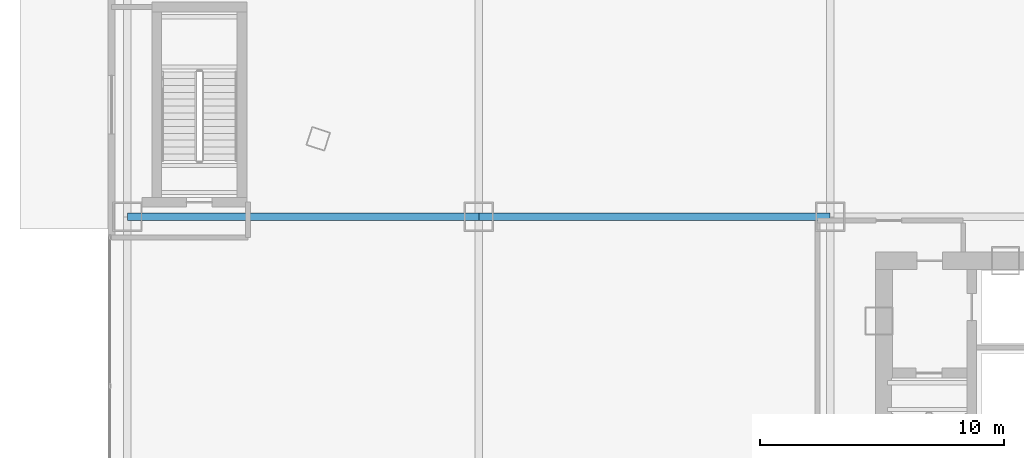
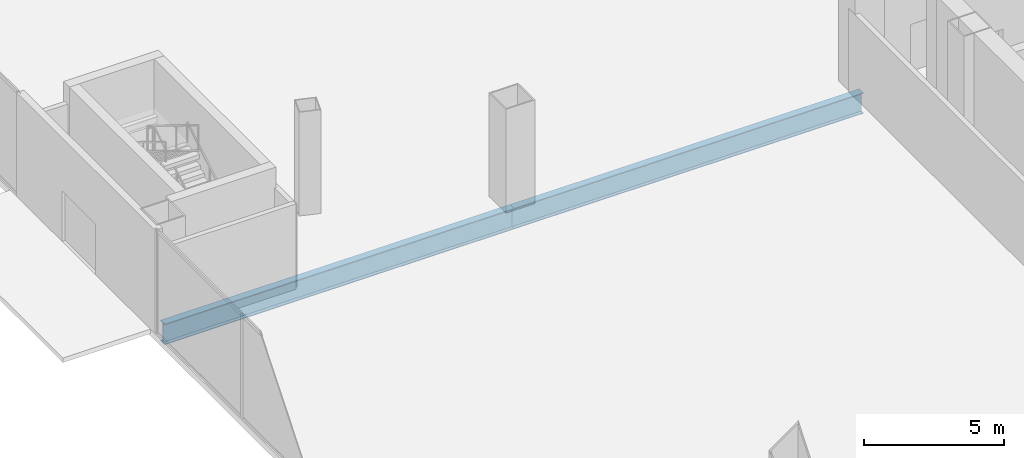
# One storey, part 11 of 58: 2 beams.
"""IFC4 building model written with IfcOpenShell, lengths in metres."""

from ifc_helpers import new_model, si_unit, direction, frame, origin, origin_2d, place, context, subcontext, project, spatial, i_section, extrude, source, transform, mapped, material, material_profile, profile_set, type_object, element, save


model = new_model("IFC4")

# Units and contexts
model_context = context("Model", 3, precision=1e-05, world=origin(), true_north=direction((0.0, 1.0)))
body_context = subcontext(model_context, "Body", "Model", "MODEL_VIEW")
ifc_project = project(units=[si_unit("LENGTHUNIT", "METRE"), si_unit("AREAUNIT", "SQUARE_METRE"), si_unit("VOLUMEUNIT", "CUBIC_METRE"), si_unit("PLANEANGLEUNIT", "RADIAN"), si_unit("MASSUNIT", "GRAM", prefix="KILO"), si_unit("THERMODYNAMICTEMPERATUREUNIT", "KELVIN"), si_unit("POWERUNIT", "WATT")], contexts=[model_context])

# Site, building, storey
site_placement = place(None, origin())
site = spatial("IfcSite", under=ifc_project, at=site_placement, CompositionType="ELEMENT")
building_placement = place(site_placement, origin())
building = spatial("IfcBuilding", under=site, at=building_placement, Name="Yunzhuo Pagoda Commons", CompositionType="ELEMENT")
storey_placement = place(building_placement, origin())
storey = spatial("IfcBuildingStorey", under=building, at=storey_placement, Name="L01", CompositionType="ELEMENT", Elevation=0.0)

# Beams
ifc_material = material(Name="Structural steel Q355B", Category="steel")
ifc_material_profile = material_profile(ifc_material, i_section(OverallWidth=0.300048828125, OverallDepth=0.89990234375, WebThickness=0.01611328125, FlangeThickness=0.028076171875, at=origin_2d()), Name="Structural steel Q355B")
ifc_profile_set = profile_set([ifc_material_profile], Name="Structural steel Q355B")
beam_type = type_object("IfcBeamType", Name="B-PD1 Beam HN 900x300x16x28", PredefinedType="BEAM", material=ifc_profile_set)
shared_shape_1 = source(origin(), body_context, "Body", "SweptSolid", [
    extrude(i_section(OverallWidth=0.300048828125, OverallDepth=0.89990234375, WebThickness=0.01611328125, FlangeThickness=0.028076171875, at=origin_2d()), origin(), (0.0, 0.0, 1.0), 14.39990234375),
])
beam_1_placement = place(storey_placement, frame((4.800048828125, 42.0, -0.729736328125), z_axis=(1.0, 0.0, 0.0), x_axis=(0.0, 1.0, 0.0)))
element("IfcBeam", 1, at=beam_1_placement, inside=storey, type_object=beam_type, Name="L01 podium girder EW 3.1", PredefinedType="BEAM", context=body_context, shape_type="MappedRepresentation", body=[
    mapped(shared_shape_1, transform((0.0, 0.0, 0.0), scale=1.0)),
])
shared_shape_2 = source(origin(), body_context, "Body", "SweptSolid", [
    extrude(i_section(OverallWidth=0.300048828125, OverallDepth=0.89990234375, WebThickness=0.01611328125, FlangeThickness=0.028076171875, at=origin_2d()), origin(), (0.0, 0.0, 1.0), 14.400146484375),
])
beam_2_placement = place(storey_placement, frame((19.199951171875, 42.0, -0.729736328125), z_axis=(1.0, 0.0, 0.0), x_axis=(0.0, 1.0, 0.0)))
element("IfcBeam", 2, at=beam_2_placement, inside=storey, type_object=beam_type, Name="L01 podium girder EW 3.2", PredefinedType="BEAM", context=body_context, shape_type="MappedRepresentation", body=[
    mapped(shared_shape_2, transform((0.0, 0.0, 0.0), scale=1.0)),
])

save(model, "model.ifc")
